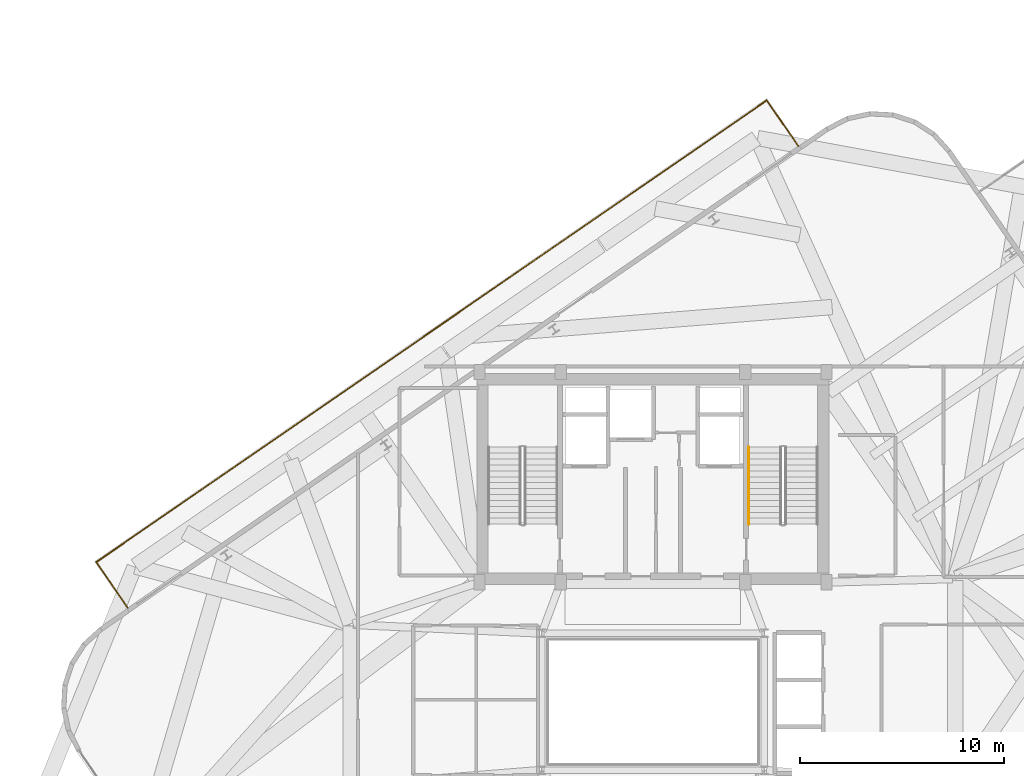
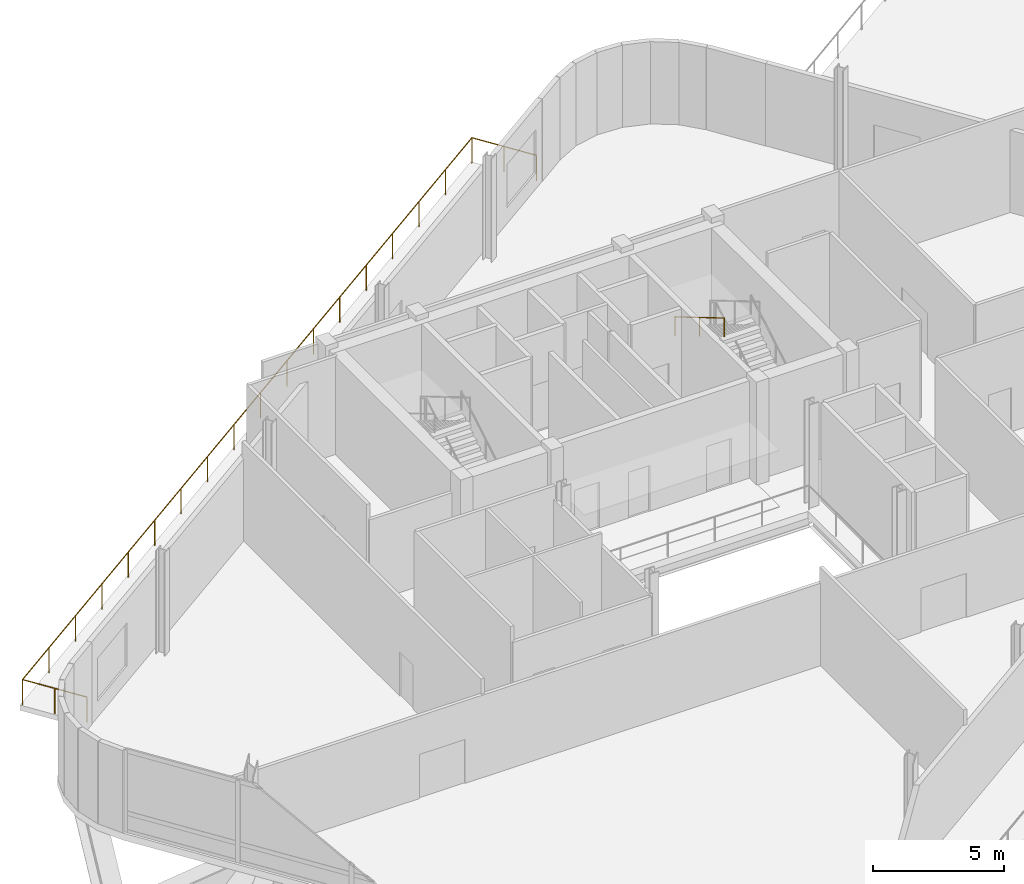
# One storey, part 16 of 18: 2 railings.
"""IFC4 building model written with IfcOpenShell, lengths in metres."""

from ifc_helpers import new_model, si_unit, direction, frame, origin, origin_2d, place, context, subcontext, project, spatial, circle, extrude, material, type_object, element, save


model = new_model("IFC4")

# Units and contexts
model_context = context("Model", 3, precision=1e-05, world=origin(), true_north=direction((0.0, 1.0)))
body_context = subcontext(model_context, "Body", "Model", "MODEL_VIEW")
ifc_project = project(units=[si_unit("LENGTHUNIT", "METRE"), si_unit("AREAUNIT", "SQUARE_METRE"), si_unit("VOLUMEUNIT", "CUBIC_METRE"), si_unit("PLANEANGLEUNIT", "RADIAN"), si_unit("MASSUNIT", "GRAM", prefix="KILO")], contexts=[model_context])

# Site, building, storey
site_placement = place(None, origin())
site = spatial("IfcSite", under=ifc_project, at=site_placement, CompositionType="ELEMENT")
building_placement = place(site_placement, origin())
building = spatial("IfcBuilding", under=site, at=building_placement, Name="Varnelok Gate Tower", CompositionType="ELEMENT")
storey_placement = place(building_placement, frame((0.0, 0.0, 296.300048828125)))
storey = spatial("IfcBuildingStorey", under=building, at=storey_placement, Name="L76", CompositionType="ELEMENT", Elevation=296.300048828125)

# Railings
ifc_material_1 = material(Name="Brushed Stainless Steel AISI 316", Category="steel")
railing_type_1 = type_object("IfcRailingType", Name="RL-HANDRAIL-900", PredefinedType="HANDRAIL", material=ifc_material_1)
railing_1_placement = place(storey_placement, frame((43.89990234375, 35.3701171875, 2.5712890625)))
element("IfcRailing", 1, at=railing_1_placement, inside=storey, type_object=railing_type_1, Name="L76 ST-2 stair handrail 2", PredefinedType="HANDRAIL", context=body_context, shape_type="SweptSolid", body=[
    extrude(circle(Radius=0.02392578125, at=origin_2d()), frame((0.0, 0.0, 0.8759765625), z_axis=(0.0, -0.860824410104, 0.508902087802), x_axis=(1.0, 0.0, 0.0)), (0.0, 0.0, 1.0), 4.379638671875),
    extrude(circle(Radius=0.02099609375, at=origin_2d()), origin(), (0.0, 0.0, 1.0), 0.851806640625),
    extrude(circle(Radius=0.02099609375, at=origin_2d()), frame((0.0, -1.885009765625, 1.1142578125)), (0.0, 0.0, 1.0), 0.851806640625),
    extrude(circle(Radius=0.02099609375, at=origin_2d()), frame((0.0, -3.77001953125, 2.228759765625)), (0.0, 0.0, 1.0), 0.851806640625),
])
ifc_material_2 = material(Name="Anodized Aluminum Alloy 6063-T6", Category="aluminium")
railing_type_2 = type_object("IfcRailingType", Name="RL-SKYG-1200", PredefinedType="GUARDRAIL", material=ifc_material_2)
railing_2_placement = place(storey_placement, frame((13.4755859375, 27.49462890625, 0.0)))
element("IfcRailing", 2, at=railing_2_placement, inside=storey, type_object=railing_type_2, Name="L76 North Terrace Balustrade 2", PredefinedType="GUARDRAIL", context=body_context, shape_type="SweptSolid", body=[
    extrude(circle(Radius=0.02392578125, at=origin_2d()), frame((0.0, 0.0, 1.17578125), z_axis=(-0.567271418659, 0.82353089655, 0.0), x_axis=(-0.82353089655, -0.567271418659, 0.0)), (0.0, 0.0, 1.0), 2.719970703125),
    extrude(circle(Radius=0.02392578125, at=origin_2d()), frame((-1.54296875, 2.239990234375, 1.17578125), z_axis=(0.823531624388, 0.567270362025, 0.0), x_axis=(-0.567270362025, 0.823531624388, 0.0)), (0.0, 0.0, 1.0), 39.880126953125),
    extrude(circle(Radius=0.02392578125, at=origin_2d()), frame((31.299560546875, 24.86279296875, 1.17578125), z_axis=(0.567229489115, -0.823559777234, 0.0), x_axis=(0.823559777234, 0.567229489115, 0.0)), (0.0, 0.0, 1.0), 2.72021484375),
    extrude(circle(Radius=0.02099609375, at=origin_2d()), origin(), (0.0, 0.0, 1.0), 1.15185546875),
    extrude(circle(Radius=0.02099609375, at=origin_2d()), frame((-0.771484375, 1.1201171875, 0.0)), (0.0, 0.0, 1.0), 1.15185546875),
    extrude(circle(Radius=0.02099609375, at=origin_2d()), frame((-1.54296875, 2.239990234375, 0.0)), (0.0, 0.0, 1.0), 1.15185546875),
    extrude(circle(Radius=0.02099609375, at=origin_2d()), frame((0.388916015625, 3.57080078125, 0.0)), (0.0, 0.0, 1.0), 1.15185546875),
    extrude(circle(Radius=0.02099609375, at=origin_2d()), frame((2.32080078125, 4.901611328125, 0.0)), (0.0, 0.0, 1.0), 1.15185546875),
    extrude(circle(Radius=0.02099609375, at=origin_2d()), frame((4.252685546875, 6.232177734375, 0.0)), (0.0, 0.0, 1.0), 1.15185546875),
    extrude(circle(Radius=0.02099609375, at=origin_2d()), frame((6.1845703125, 7.56298828125, 0.0)), (0.0, 0.0, 1.0), 1.15185546875),
    extrude(circle(Radius=0.02099609375, at=origin_2d()), frame((8.11669921875, 8.893798828125, 0.0)), (0.0, 0.0, 1.0), 1.15185546875),
    extrude(circle(Radius=0.02099609375, at=origin_2d()), frame((10.048583984375, 10.224609375, 0.0)), (0.0, 0.0, 1.0), 1.15185546875),
    extrude(circle(Radius=0.02099609375, at=origin_2d()), frame((11.98046875, 11.55517578125, 0.0)), (0.0, 0.0, 1.0), 1.15185546875),
    extrude(circle(Radius=0.02099609375, at=origin_2d()), frame((13.912353515625, 12.885986328125, 0.0)), (0.0, 0.0, 1.0), 1.15185546875),
    extrude(circle(Radius=0.02099609375, at=origin_2d()), frame((15.84423828125, 14.216796875, 0.0)), (0.0, 0.0, 1.0), 1.15185546875),
    extrude(circle(Radius=0.02099609375, at=origin_2d()), frame((17.776123046875, 15.547607421875, 0.0)), (0.0, 0.0, 1.0), 1.15185546875),
    extrude(circle(Radius=0.02099609375, at=origin_2d()), frame((19.7080078125, 16.878173828125, 0.0)), (0.0, 0.0, 1.0), 1.15185546875),
    extrude(circle(Radius=0.02099609375, at=origin_2d()), frame((21.639892578125, 18.208984375, 0.0)), (0.0, 0.0, 1.0), 1.15185546875),
    extrude(circle(Radius=0.02099609375, at=origin_2d()), frame((23.572021484375, 19.539794921875, 0.0)), (0.0, 0.0, 1.0), 1.15185546875),
    extrude(circle(Radius=0.02099609375, at=origin_2d()), frame((25.50390625, 20.87060546875, 0.0)), (0.0, 0.0, 1.0), 1.15185546875),
    extrude(circle(Radius=0.02099609375, at=origin_2d()), frame((27.435791015625, 22.201171875, 0.0)), (0.0, 0.0, 1.0), 1.15185546875),
    extrude(circle(Radius=0.02099609375, at=origin_2d()), frame((29.36767578125, 23.531982421875, 0.0)), (0.0, 0.0, 1.0), 1.15185546875),
    extrude(circle(Radius=0.02099609375, at=origin_2d()), frame((31.299560546875, 24.86279296875, 0.0)), (0.0, 0.0, 1.0), 1.15185546875),
    extrude(circle(Radius=0.02099609375, at=origin_2d()), frame((32.071044921875, 23.74267578125, 0.0)), (0.0, 0.0, 1.0), 1.15185546875),
    extrude(circle(Radius=0.02099609375, at=origin_2d()), frame((32.842529296875, 22.62255859375, 0.0)), (0.0, 0.0, 1.0), 1.15185546875),
])

save(model, "model.ifc")
